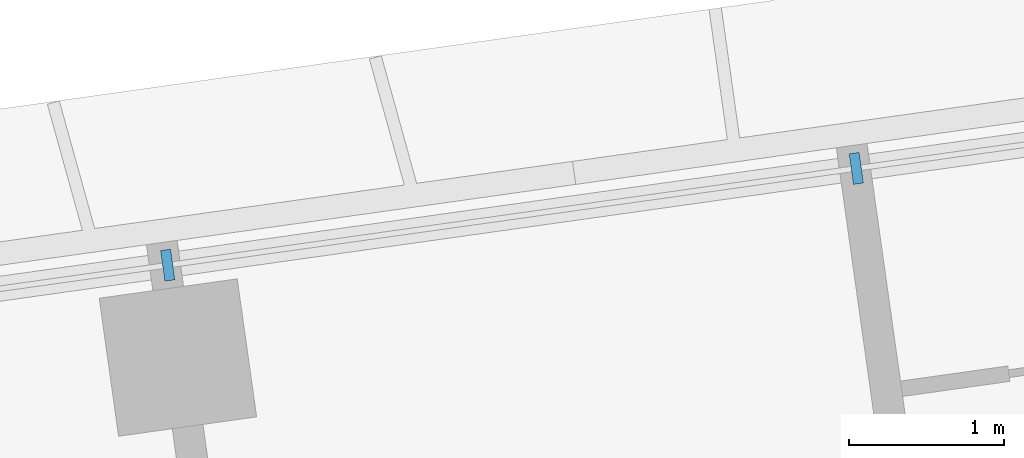
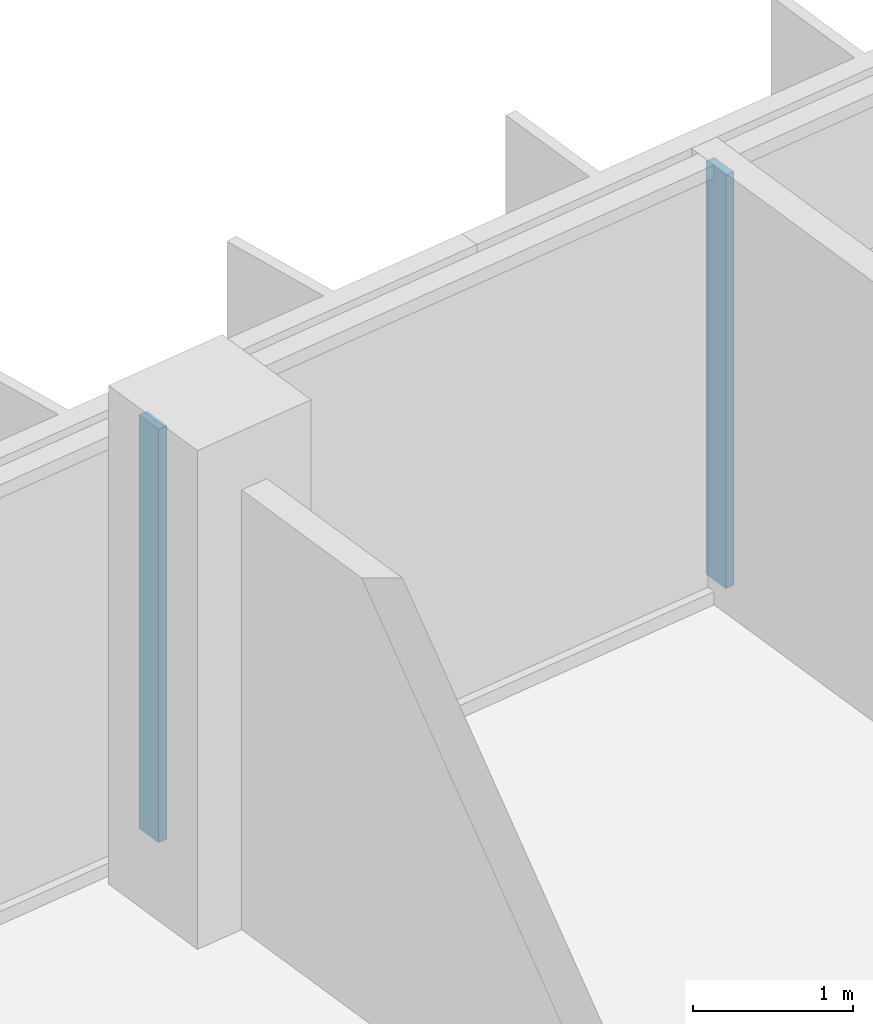
# One storey, part 8 of 25: 2 members, 1 element without a shape of its own.
"""IFC4 building model written with IfcOpenShell, lengths in metres."""

import ifcopenshell
import ifcopenshell.guid

model = None  # the IFC model being written
_history = None  # IfcOwnerHistory: only IFC2X3 demands one
_inside = {}  # id of a spatial element -> (the spatial element, [elements in it])
_under = {}  # id of a project, library or spatial element -> (it, [spatial elements below it])
_declared = {}  # id of a project -> (the project, [libraries it declares])
_typed = {}  # id of a type object -> (the type object, [elements of that type])
_made_of = {}  # id of a material, layer set ... -> (it, [elements and type objects made of it])


def new_model(schema):
    """Start an empty IFC model of exactly this schema.

    Asked for "IFC4X3", IfcOpenShell would pick the latest addendum, in which some entities
    have other attributes; the version numbers below select the first issue.
    IFC2X3 requires an IfcOwnerHistory on every rooted entity: one is made here for all.
    """
    global model, _history
    if schema == "IFC4X3":
        model = ifcopenshell.file(schema_version=(4, 3, 0, 0))
    else:
        model = ifcopenshell.file(schema=schema)
    _inside.clear()
    _under.clear()
    _declared.clear()
    _typed.clear()
    _made_of.clear()
    _history = None
    if model.schema == "IFC2X3":
        org = make("IfcOrganization", Name="unknown")
        user = make(
            "IfcPersonAndOrganization",
            ThePerson=make("IfcPerson", FamilyName="unknown"),
            TheOrganization=org,
        )
        app = make(
            "IfcApplication",
            ApplicationDeveloper=org,
            Version="unknown",
            ApplicationFullName="unknown",
            ApplicationIdentifier="unknown",
        )
        _history = make(
            "IfcOwnerHistory",
            OwningUser=user,
            OwningApplication=app,
            ChangeAction="ADDED",
            CreationDate=0,
        )
    return model


def make(cls, **values):
    """One entity of the class cls with the attributes given. An attribute that is None is left unset."""
    return model.create_entity(
        cls, **{name: value for name, value in values.items() if value is not None}
    )


def rooted(cls, **values):
    """An entity with a GlobalId (a new one), such as an element, a storey or a relation."""
    return make(cls, GlobalId=ifcopenshell.guid.new(), OwnerHistory=_history, **values)


def si_unit(unit_type, name, prefix=None):
    """IfcSIUnit, for example si_unit("LENGTHUNIT", "METRE", prefix="MILLI")."""
    return make("IfcSIUnit", UnitType=unit_type, Prefix=prefix, Name=name)


def assignment(units):
    """IfcUnitAssignment: the units of a project."""
    return None if units is None else make("IfcUnitAssignment", Units=units)


def point(xyz):
    """IfcCartesianPoint."""
    return None if xyz is None else make("IfcCartesianPoint", Coordinates=xyz)


def direction(xyz):
    """IfcDirection."""
    return None if xyz is None else make("IfcDirection", DirectionRatios=xyz)


def frame(location, z_axis=None, x_axis=None):
    """IfcAxis2Placement3D, a coordinate frame: its origin and axes. An axis left out is left unset."""
    return make(
        "IfcAxis2Placement3D",
        Location=point(location),
        Axis=direction(z_axis),
        RefDirection=direction(x_axis),
    )


def frame_2d(location, x_axis=None):
    """IfcAxis2Placement2D, a coordinate frame in the plane: its origin and x axis."""
    return make(
        "IfcAxis2Placement2D", Location=point(location), RefDirection=direction(x_axis)
    )


def origin():
    """The frame at (0, 0, 0) with its axes left unset."""
    return frame((0.0, 0.0, 0.0))


def origin_2d():
    """The frame at (0, 0) in the plane with its x axis left unset."""
    return frame_2d((0.0, 0.0))


def place(relative_to, where):
    """IfcLocalPlacement: puts the frame where relative to a parent placement (None: the world)."""
    return make(
        "IfcLocalPlacement", PlacementRelTo=relative_to, RelativePlacement=where
    )


def context(
    kind, dimensions, precision=None, world=None, true_north=None, identifier=None
):
    """IfcGeometricRepresentationContext, for example the 3D "Model" context."""
    return make(
        "IfcGeometricRepresentationContext",
        ContextIdentifier=identifier,
        ContextType=kind,
        CoordinateSpaceDimension=dimensions,
        Precision=precision,
        WorldCoordinateSystem=world,
        TrueNorth=true_north,
    )


def subcontext(parent, identifier, kind, view, scale=None):
    """IfcGeometricRepresentationSubContext, for example "Body" below "Model"."""
    return make(
        "IfcGeometricRepresentationSubContext",
        ContextIdentifier=identifier,
        ContextType=kind,
        ParentContext=parent,
        TargetScale=scale,
        TargetView=view,
    )


def project(units=None, contexts=None):
    """IfcProject with its units and contexts."""
    return rooted(
        "IfcProject",
        Name="project",
        RepresentationContexts=contexts,
        UnitsInContext=assignment(units),
    )


def spatial(cls, under=None, at=None, **own):
    """A site, building, storey or space (cls), placed at a placement, below another one or the project."""
    s = rooted(cls, ObjectPlacement=at, **own)
    if under is not None:
        _under.setdefault(under.id(), (under, []))[1].append(s)
    return s


def profile(cls, at=None, kind="AREA", **sizes):
    """A parametric profile (cls). Its sizes go by their IFC names, for example OverallWidth=200.0."""
    return make(cls, ProfileType=kind, Position=at, **sizes)


def rectangle(**sizes):
    """IfcRectangleProfileDef."""
    return profile("IfcRectangleProfileDef", **sizes)


def extrude(swept, where, along, depth):
    """IfcExtrudedAreaSolid: the profile swept, set in the frame where, extruded along a direction by depth."""
    return make(
        "IfcExtrudedAreaSolid",
        SweptArea=swept,
        Position=where,
        ExtrudedDirection=direction(along),
        Depth=depth,
    )


def shape(context_of_items, identifier, shape_type, items):
    """IfcShapeRepresentation: the items that make up one representation, for example the "Body"."""
    return make(
        "IfcShapeRepresentation",
        ContextOfItems=context_of_items,
        RepresentationIdentifier=identifier,
        RepresentationType=shape_type,
        Items=items,
    )


def material(Name=None, Category=None):
    """IfcMaterial."""
    return make("IfcMaterial", Name=Name, Category=Category)


def material_profile(
    of_material, cross_section, Name=None, Category=None, Priority=None
):
    """IfcMaterialProfile: a cross section and its material."""
    return make(
        "IfcMaterialProfile",
        Name=Name,
        Material=of_material,
        Profile=cross_section,
        Priority=Priority,
        Category=Category,
    )


def profile_set(profiles, Name=None, composite=None):
    """IfcMaterialProfileSet."""
    return make(
        "IfcMaterialProfileSet",
        Name=Name,
        MaterialProfiles=profiles,
        CompositeProfile=composite,
    )


def made_of(thing, what):
    """Note that an element or type object is made of a material, layer set ...; save() writes the relation."""
    if what is not None:
        _made_of.setdefault(what.id(), (what, []))[1].append(thing)
    return thing


def type_object(cls, material=None, **own):
    """A type object (cls), such as IfcWallType, which elements share."""
    return made_of(rooted(cls, **own), material)


def element(
    cls,
    number,
    at=None,
    inside=None,
    cuts=None,
    type_object=None,
    material=None,
    context=None,
    identifier="Body",
    shape_type=None,
    held_by="IfcProductDefinitionShape",
    body=None,
    shapes=None,
    **own,
):
    """One element of the class cls, such as IfcWall. Its Tag is "e" and its number.

    at: its placement. inside: the storey or other place that contains it. cuts: it is an
    opening in that element (IfcRelVoidsElement). A single representation is given by context,
    identifier, shape_type and body (its items); several are given by shapes. held_by: the class
    of the entity that holds the representations. save() writes the other relations.
    """
    e = rooted(cls, Tag="e%d" % number, ObjectPlacement=at, **own)
    if body is not None:
        shapes = [shape(context, identifier, shape_type, body)]
    if shapes is not None:
        e.Representation = make(held_by, Representations=shapes)
    if inside is not None:
        _inside.setdefault(inside.id(), (inside, []))[1].append(e)
    if cuts is not None:
        rooted(
            "IfcRelVoidsElement", RelatingBuildingElement=cuts, RelatedOpeningElement=e
        )
    if type_object is not None:
        _typed.setdefault(type_object.id(), (type_object, []))[1].append(e)
    return made_of(e, material)


def aggregate(whole, parts):
    """IfcRelAggregates: a whole, such as a stair, and the parts it consists of."""
    return rooted("IfcRelAggregates", RelatingObject=whole, RelatedObjects=parts)


def save(model, path):
    """Write the relations noted so far, then the file.

    IfcRelAggregates (storeys below a building ...), IfcRelContainedInSpatialStructure (elements
    in a storey), IfcRelDefinesByType, IfcRelAssociatesMaterial and IfcRelDeclares: one each for
    every whole, place, type object, material and project.
    """
    for whole, parts in _under.values():
        aggregate(whole, parts)
    for where, things in _inside.values():
        rooted(
            "IfcRelContainedInSpatialStructure",
            RelatedElements=things,
            RelatingStructure=where,
        )
    for kind, things in _typed.values():
        rooted("IfcRelDefinesByType", RelatedObjects=things, RelatingType=kind)
    for what, things in _made_of.values():
        rooted("IfcRelAssociatesMaterial", RelatedObjects=things, RelatingMaterial=what)
    for by, libraries in _declared.values():
        rooted("IfcRelDeclares", RelatingContext=by, RelatedDefinitions=libraries)
    model.write(path)


model = new_model("IFC4")

# Units and contexts
model_context = context("Model", 3, precision=1e-05, world=origin(), true_north=direction((0.0, 1.0)))
body_context = subcontext(model_context, "Body", "Model", "MODEL_VIEW")
ifc_project = project(units=[si_unit("LENGTHUNIT", "METRE"), si_unit("AREAUNIT", "SQUARE_METRE"), si_unit("VOLUMEUNIT", "CUBIC_METRE"), si_unit("PLANEANGLEUNIT", "RADIAN"), si_unit("MASSUNIT", "GRAM", prefix="KILO")], contexts=[model_context])

# Site, building, storey
site_placement = place(None, origin())
site = spatial("IfcSite", under=ifc_project, at=site_placement, CompositionType="ELEMENT")
building_placement = place(site_placement, origin())
building = spatial("IfcBuilding", under=site, at=building_placement, Name="Mirante Cascada Hotel Towers", CompositionType="ELEMENT")
storey_placement = place(building_placement, frame((0.0, 0.0, 129.1)))
storey = spatial("IfcBuildingStorey", under=building, at=storey_placement, Name="L29", CompositionType="ELEMENT", Elevation=129.1)

# Curtain wall, members
ifc_material_1 = material(Name="Aluminium mullion and transom frame with clear laminated glass", Category="aluminium")
curtain_wall_type = type_object("IfcCurtainWallType", Name="Ribbon curtain wall ECW1", PredefinedType="NOTDEFINED", material=ifc_material_1)
curtain_wall_placement = place(storey_placement, origin())
curtain_wall = element("IfcCurtainWall", 1, at=curtain_wall_placement, inside=storey, type_object=curtain_wall_type, Name="Front ribbon wall T2 L29", PredefinedType="NOTDEFINED")
ifc_material_2 = material(Name="Anodised aluminium extrusion", Category="aluminium")
ifc_material_profile = material_profile(ifc_material_2, rectangle(XDim=0.2, YDim=0.065, at=origin_2d()), Name="ECW1 MULLION 65x200")
ifc_profile_set = profile_set([ifc_material_profile], Name="Anodised aluminium extrusion")
member_type = type_object("IfcMemberType", Name="ECW1 mullion 65x200", PredefinedType="MULLION", material=ifc_profile_set)
member_1_placement = place(storey_placement, frame((58.5788, 21.0517, 0.1), z_axis=(0.0, 0.0, 1.0), x_axis=(0.1391731, -0.9902681, 0.0)))
member_1 = element("IfcMember", 2, at=member_1_placement, type_object=member_type, Name="ECW1 mullion 9", PredefinedType="MULLION", context=body_context, shape_type="SweptSolid", body=[
    extrude(rectangle(XDim=0.2, YDim=0.065, at=origin_2d()), origin(), (0.0, 0.0, 1.0), 3.15),
])
member_2_placement = place(storey_placement, frame((54.1314, 20.4267, 0.1), z_axis=(0.0, 0.0, 1.0), x_axis=(0.1391731, -0.9902681, 0.0)))
member_2 = element("IfcMember", 3, at=member_2_placement, type_object=member_type, Name="ECW1 mullion 10", PredefinedType="MULLION", context=body_context, shape_type="SweptSolid", body=[
    extrude(rectangle(XDim=0.2, YDim=0.065, at=origin_2d()), origin(), (0.0, 0.0, 1.0), 3.15),
])
aggregate(curtain_wall, [member_1, member_2])

save(model, "model.ifc")
